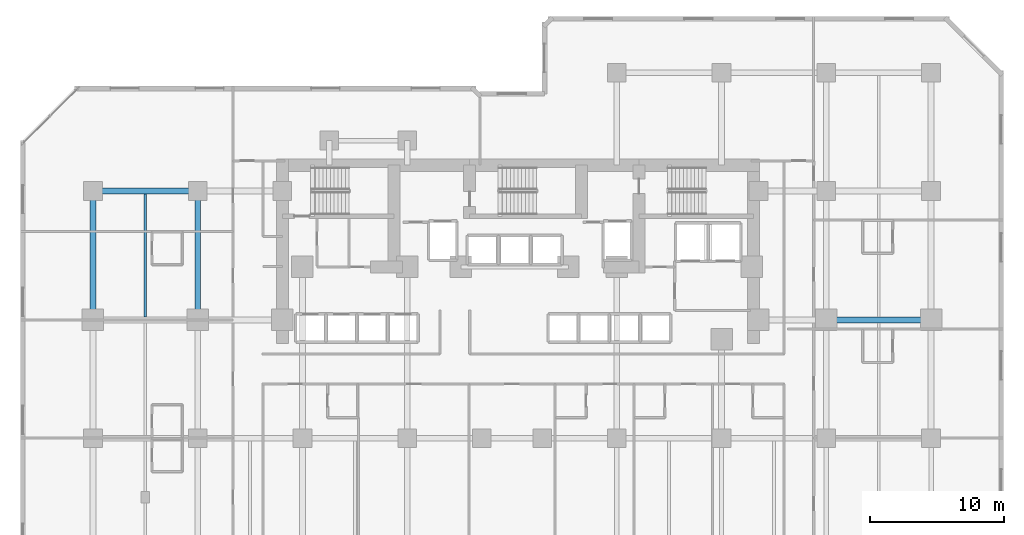
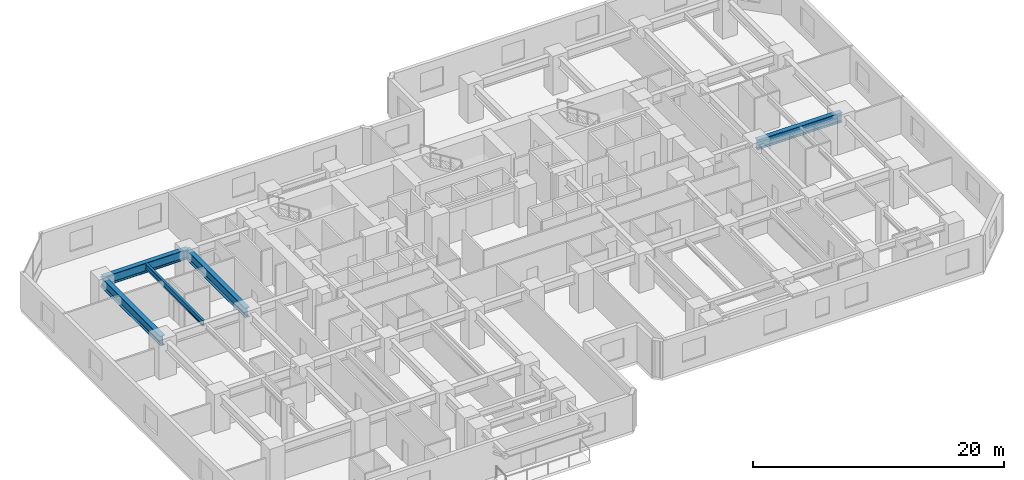
# One storey, part 2 of 12: 5 beams.
"""IFC4 building model written with IfcOpenShell, lengths in metres."""

from ifc_helpers import new_model, si_unit, direction, frame, origin, origin_2d, place, context, subcontext, project, spatial, i_section, extrude, material, material_profile, profile_set, type_object, element, save


model = new_model("IFC4")

# Units and contexts
model_context = context("Model", 3, precision=1e-05, world=origin(), true_north=direction((0.0, 1.0)))
body_context = subcontext(model_context, "Body", "Model", "MODEL_VIEW")
ifc_project = project(units=[si_unit("LENGTHUNIT", "METRE"), si_unit("AREAUNIT", "SQUARE_METRE"), si_unit("VOLUMEUNIT", "CUBIC_METRE"), si_unit("PLANEANGLEUNIT", "RADIAN"), si_unit("MASSUNIT", "GRAM", prefix="KILO")], contexts=[model_context])

# Site, building, storey
site_placement = place(None, origin())
site = spatial("IfcSite", under=ifc_project, at=site_placement, CompositionType="ELEMENT")
building_placement = place(site_placement, origin())
building = spatial("IfcBuilding", under=site, at=building_placement, Name="Kestravale Grand Hotel", CompositionType="ELEMENT")
storey_placement = place(building_placement, frame((0.0, 0.0, 52.60009765625)))
storey = spatial("IfcBuildingStorey", under=building, at=storey_placement, Name="L12", CompositionType="ELEMENT", Elevation=52.60009765625)

# Beams
ifc_material_1 = material(Name="Steel ASTM A992 Grade 50", Category="steel")
ifc_material_profile_1 = material_profile(ifc_material_1, i_section(OverallWidth=0.2099609375, OverallDepth=0.535888671875, WebThickness=0.010986328125, FlangeThickness=0.017333984375, FilletRadius=0.017578125, at=origin_2d()))
ifc_profile_set_1 = profile_set([ifc_material_profile_1], Name="Steel ASTM A992 Grade 50")
beam_type_1 = type_object("IfcBeamType", Name="B-FLR-JST21", PredefinedType="JOIST", material=ifc_profile_set_1)
beam_placement = place(storey_placement, frame((11.699951171875, 29.011962890625, 3.27197265625), z_axis=(0.0, 1.0, 0.0), x_axis=(-1.0, 0.0, 0.0)))
element("IfcBeam", 1, at=beam_placement, inside=storey, type_object=beam_type_1, Name="L12 floor joist 2-3/E-F #1", PredefinedType="JOIST", context=body_context, shape_type="SweptSolid", body=[
    extrude(i_section(OverallWidth=0.2099609375, OverallDepth=0.535888671875, WebThickness=0.010986328125, FlangeThickness=0.017333984375, FilletRadius=0.017578125, at=origin_2d()), origin(), (0.0, 0.0, 1.0), 9.176025390625),
])
ifc_material_2 = material(Name="Steel ASTM A992 Grade 50", Category="steel")
ifc_material_profile_2 = material_profile(ifc_material_2, i_section(OverallWidth=0.424072265625, OverallDepth=0.947021484375, WebThickness=0.02392578125, FlangeThickness=0.042724609375, FilletRadius=0.0283203125, at=origin_2d()))
ifc_profile_set_2 = profile_set([ifc_material_profile_2], Name="Steel ASTM A992 Grade 50")
beam_type_2 = type_object("IfcBeamType", Name="B-GRD-W36", PredefinedType="BEAM", material=ifc_profile_set_2)
for number, where, z_axis, x_axis, name in (
    (2, (62.39990234375, 28.800048828125, 3.06640625), (1.0, 0.0, 0.0), (0.0, 1.0, 0.0), "L12 girder E:10-11"),
    (3, (7.800048828125, 38.39990234375, 3.06640625), (1.0, 0.0, 0.0), (0.0, 1.0, 0.0), "L12 girder F:2-3"),
):
    element("IfcBeam", number, at=place(storey_placement, frame(where, z_axis=z_axis, x_axis=x_axis)), inside=storey, type_object=beam_type_2, Name=name, PredefinedType="BEAM", context=body_context, shape_type="SweptSolid", body=[
        extrude(i_section(OverallWidth=0.424072265625, OverallDepth=0.947021484375, WebThickness=0.02392578125, FlangeThickness=0.042724609375, FilletRadius=0.0283203125, at=origin_2d()), origin(), (0.0, 0.0, 1.0), 7.800048828125),
    ])
for number, where, z_axis, x_axis, name in (
    (4, (7.800048828125, 28.800048828125, 3.06640625), (0.0, 1.0, 0.0), (-1.0, 0.0, 0.0), "L12 girder 2:E-F"),
    (5, (15.60009765625, 28.800048828125, 3.06640625), (0.0, 1.0, 0.0), (-1.0, 0.0, 0.0), "L12 girder 3:E-F"),
):
    element("IfcBeam", number, at=place(storey_placement, frame(where, z_axis=z_axis, x_axis=x_axis)), inside=storey, type_object=beam_type_2, Name=name, PredefinedType="BEAM", context=body_context, shape_type="SweptSolid", body=[
        extrude(i_section(OverallWidth=0.424072265625, OverallDepth=0.947021484375, WebThickness=0.02392578125, FlangeThickness=0.042724609375, FilletRadius=0.0283203125, at=origin_2d()), origin(), (0.0, 0.0, 1.0), 9.599853515625),
    ])

save(model, "model.ifc")
